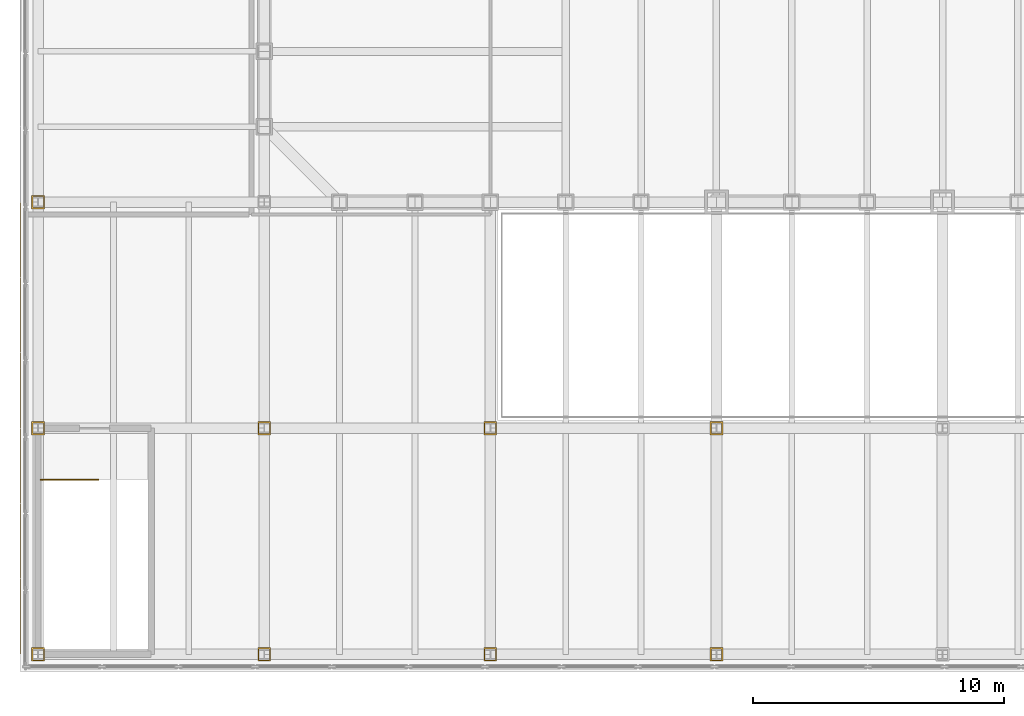
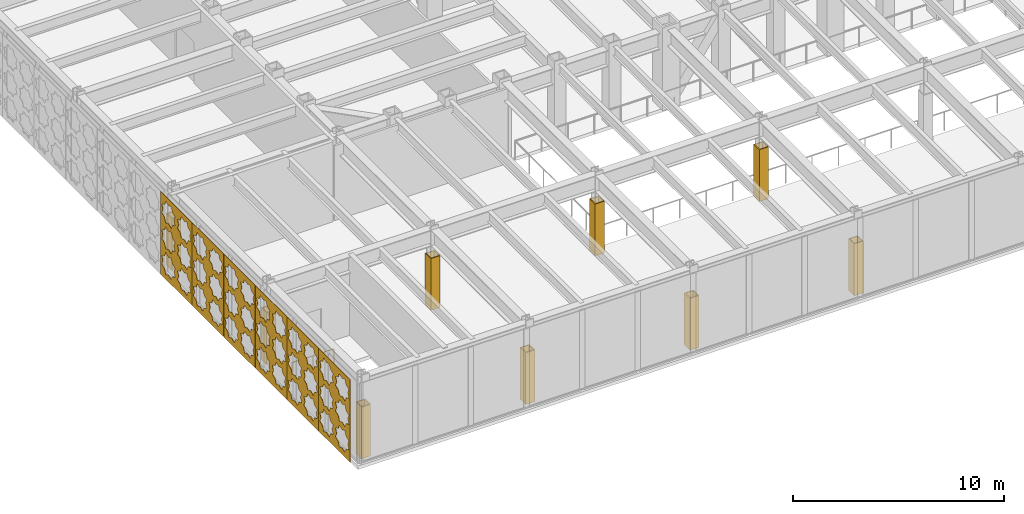
# One storey, part 18 of 24: 9 coverings, 6 shading devices, 1 railing.
"""IFC4 building model written with IfcOpenShell, lengths in metres."""

from ifc_helpers import new_model, si_unit, direction, frame, origin, origin_2d, place, context, subcontext, project, spatial, polyline, circle, outline, extrude, material, layer, layer_set, type_object, element, save


model = new_model("IFC4")

# Units and contexts
model_context = context("Model", 3, precision=1e-05, world=origin(), true_north=direction((0.0, 1.0)))
body_context = subcontext(model_context, "Body", "Model", "MODEL_VIEW")
ifc_project = project(units=[si_unit("LENGTHUNIT", "METRE"), si_unit("AREAUNIT", "SQUARE_METRE"), si_unit("VOLUMEUNIT", "CUBIC_METRE"), si_unit("PLANEANGLEUNIT", "RADIAN"), si_unit("MASSUNIT", "GRAM", prefix="KILO")], contexts=[model_context])

# Site, building, storey
site_placement = place(None, origin())
site = spatial("IfcSite", under=ifc_project, at=site_placement, CompositionType="ELEMENT")
building_placement = place(site_placement, origin())
building = spatial("IfcBuilding", under=site, at=building_placement, Name="Chuquiago Exchange Tower", CompositionType="ELEMENT")
storey_placement = place(building_placement, frame((0.0, 0.0, 19.5)))
storey = spatial("IfcBuildingStorey", under=building, at=storey_placement, Name="L03", CompositionType="ELEMENT", Elevation=19.5)

# Coverings
ifc_material_1 = material(Name="Pale metal sheet casing on rails", Category="aluminium")
ifc_layer_1 = layer(ifc_material_1, 0.050048828125)
ifc_layer_set_1 = layer_set([ifc_layer_1], Name="CS1 column casing 50")
covering_type = type_object("IfcCoveringType", Name="CS1 column casing 50", PredefinedType="CLADDING", material=ifc_layer_set_1)
covering_1_placement = place(storey_placement, origin())
element("IfcCovering", 1, at=covering_1_placement, inside=storey, type_object=covering_type, Name="Column casing L03", PredefinedType="CLADDING", context=body_context, shape_type="SweptSolid", body=[
    extrude(outline(polyline([(-9.255615234375, -18.26708984375), (-8.744384765625, -18.26708984375), (-8.744384765625, -17.73291015625), (-9.255615234375, -17.73291015625), (-9.255615234375, -18.26708984375)]), holes=[polyline([(-9.205810546875, -18.21728515625), (-9.205810546875, -17.78271484375), (-8.794189453125, -17.78271484375), (-8.794189453125, -18.21728515625), (-9.205810546875, -18.21728515625)])]), origin(), (0.0, 0.0, 1.0), 3.0),
])
covering_2_placement = place(storey_placement, origin())
element("IfcCovering", 2, at=covering_2_placement, inside=storey, type_object=covering_type, Name="Column casing L03", PredefinedType="CLADDING", context=body_context, shape_type="SweptSolid", body=[
    extrude(outline(polyline([(-9.255615234375, -9.26708984375), (-8.744384765625, -9.26708984375), (-8.744384765625, -8.73291015625), (-9.255615234375, -8.73291015625), (-9.255615234375, -9.26708984375)]), holes=[polyline([(-9.205810546875, -9.21728515625), (-9.205810546875, -8.78271484375), (-8.794189453125, -8.78271484375), (-8.794189453125, -9.21728515625), (-9.205810546875, -9.21728515625)])]), origin(), (0.0, 0.0, 1.0), 3.0),
])
covering_3_placement = place(storey_placement, origin())
element("IfcCovering", 3, at=covering_3_placement, inside=storey, type_object=covering_type, Name="Column casing L03", PredefinedType="CLADDING", context=body_context, shape_type="SweptSolid", body=[
    extrude(outline(polyline([(-9.255615234375, -0.26708984375), (-8.744384765625, -0.26708984375), (-8.744384765625, 0.26708984375), (-9.255615234375, 0.26708984375), (-9.255615234375, -0.26708984375)]), holes=[polyline([(-9.205810546875, -0.21728515625), (-9.205810546875, 0.21728515625), (-8.794189453125, 0.21728515625), (-8.794189453125, -0.21728515625), (-9.205810546875, -0.21728515625)])]), origin(), (0.0, 0.0, 1.0), 3.0),
])
covering_4_placement = place(storey_placement, origin())
element("IfcCovering", 4, at=covering_4_placement, inside=storey, type_object=covering_type, Name="Column casing L03", PredefinedType="CLADDING", context=body_context, shape_type="SweptSolid", body=[
    extrude(outline(polyline([(-0.255615234375, -18.26708984375), (0.255615234375, -18.26708984375), (0.255615234375, -17.73291015625), (-0.255615234375, -17.73291015625), (-0.255615234375, -18.26708984375)]), holes=[polyline([(-0.205810546875, -18.21728515625), (-0.205810546875, -17.78271484375), (0.205810546875, -17.78271484375), (0.205810546875, -18.21728515625), (-0.205810546875, -18.21728515625)])]), origin(), (0.0, 0.0, 1.0), 3.0),
])
covering_5_placement = place(storey_placement, origin())
element("IfcCovering", 5, at=covering_5_placement, inside=storey, type_object=covering_type, Name="Column casing L03", PredefinedType="CLADDING", context=body_context, shape_type="SweptSolid", body=[
    extrude(outline(polyline([(-0.255615234375, -9.26708984375), (0.255615234375, -9.26708984375), (0.255615234375, -8.73291015625), (-0.255615234375, -8.73291015625), (-0.255615234375, -9.26708984375)]), holes=[polyline([(-0.205810546875, -9.21728515625), (-0.205810546875, -8.78271484375), (0.205810546875, -8.78271484375), (0.205810546875, -9.21728515625), (-0.205810546875, -9.21728515625)])]), origin(), (0.0, 0.0, 1.0), 3.0),
])
covering_6_placement = place(storey_placement, origin())
element("IfcCovering", 6, at=covering_6_placement, inside=storey, type_object=covering_type, Name="Column casing L03", PredefinedType="CLADDING", context=body_context, shape_type="SweptSolid", body=[
    extrude(outline(polyline([(8.744384765625, -18.26708984375), (9.255615234375, -18.26708984375), (9.255615234375, -17.73291015625), (8.744384765625, -17.73291015625), (8.744384765625, -18.26708984375)]), holes=[polyline([(8.794189453125, -18.21728515625), (8.794189453125, -17.78271484375), (9.205810546875, -17.78271484375), (9.205810546875, -18.21728515625), (8.794189453125, -18.21728515625)])]), origin(), (0.0, 0.0, 1.0), 3.0),
])
covering_7_placement = place(storey_placement, origin())
element("IfcCovering", 7, at=covering_7_placement, inside=storey, type_object=covering_type, Name="Column casing L03", PredefinedType="CLADDING", context=body_context, shape_type="SweptSolid", body=[
    extrude(outline(polyline([(8.744384765625, -9.26708984375), (9.255615234375, -9.26708984375), (9.255615234375, -8.73291015625), (8.744384765625, -8.73291015625), (8.744384765625, -9.26708984375)]), holes=[polyline([(8.794189453125, -9.21728515625), (8.794189453125, -8.78271484375), (9.205810546875, -8.78271484375), (9.205810546875, -9.21728515625), (8.794189453125, -9.21728515625)])]), origin(), (0.0, 0.0, 1.0), 3.0),
])
covering_8_placement = place(storey_placement, origin())
element("IfcCovering", 8, at=covering_8_placement, inside=storey, type_object=covering_type, Name="Column casing L03", PredefinedType="CLADDING", context=body_context, shape_type="SweptSolid", body=[
    extrude(outline(polyline([(17.744384765625, -18.26708984375), (18.255615234375, -18.26708984375), (18.255615234375, -17.73291015625), (17.744384765625, -17.73291015625), (17.744384765625, -18.26708984375)]), holes=[polyline([(17.794189453125, -18.21728515625), (17.794189453125, -17.78271484375), (18.205810546875, -17.78271484375), (18.205810546875, -18.21728515625), (17.794189453125, -18.21728515625)])]), origin(), (0.0, 0.0, 1.0), 3.0),
])
covering_9_placement = place(storey_placement, origin())
element("IfcCovering", 9, at=covering_9_placement, inside=storey, type_object=covering_type, Name="Column casing L03", PredefinedType="CLADDING", context=body_context, shape_type="SweptSolid", body=[
    extrude(outline(polyline([(17.744384765625, -9.26708984375), (18.255615234375, -9.26708984375), (18.255615234375, -8.73291015625), (17.744384765625, -8.73291015625), (17.744384765625, -9.26708984375)]), holes=[polyline([(17.794189453125, -9.21728515625), (17.794189453125, -8.78271484375), (18.205810546875, -8.78271484375), (18.205810546875, -9.21728515625), (17.794189453125, -9.21728515625)])]), origin(), (0.0, 0.0, 1.0), 3.0),
])

# Railing
ifc_material_2 = material(Name="Pale metal guard with safety glass infill", Category="glass")
railing_type = type_object("IfcRailingType", Name="GR1 guard 1100", PredefinedType="GUARDRAIL", material=ifc_material_2)
railing_placement = place(storey_placement, frame((-8.89990234375, -11.050048828125, 0.0)))
element("IfcRailing", 10, at=railing_placement, inside=storey, type_object=railing_type, Name="Guard PS1 top landing L03", PredefinedType="GUARDRAIL", context=body_context, shape_type="SweptSolid", body=[
    extrude(circle(Radius=0.02392578125, at=origin_2d()), frame((0.0, 0.0, 1.076171875), z_axis=(1.0, 0.0, 0.0), x_axis=(0.0, 1.0, 0.0)), (0.0, 0.0, 1.0), 2.2998046875),
    extrude(circle(Radius=0.02099609375, at=origin_2d()), origin(), (0.0, 0.0, 1.0), 1.052001953125),
    extrude(circle(Radius=0.02099609375, at=origin_2d()), frame((1.14990234375, 0.0, 0.0)), (0.0, 0.0, 1.0), 1.052001953125),
    extrude(circle(Radius=0.02099609375, at=origin_2d()), frame((2.2998046875, 0.0, 0.0)), (0.0, 0.0, 1.0), 1.052001953125),
])

# Shading devices
ifc_material_3 = material(Name="Pale metal, perforated in an eight-point star pattern", Category="aluminium")
ifc_layer_2 = layer(ifc_material_3, 0.02001953125)
ifc_layer_set_2 = layer_set([ifc_layer_2], Name="SC1 mashrabiya screen 20")
shading_device_type = type_object("IfcShadingDeviceType", Name="SC1 mashrabiya screen 20", PredefinedType="SHUTTER", material=ifc_layer_set_2)
shading_device_1_placement = place(storey_placement, frame((-9.699951171875, -15.010009765625, -0.199951171875), z_axis=(0.0, 0.0, 1.0), x_axis=(0.0, -1.0, 0.0)))
element("IfcShadingDevice", 11, at=shading_device_1_placement, inside=storey, type_object=shading_device_type, Name="Mashrabiya screen L03 W 1", PredefinedType="SHUTTER", context=body_context, shape_type="SweptSolid", body=[
    extrude(outline(polyline([(0.0, 0.0), (2.97998046875, 0.0), (2.97998046875, 4.800048828125), (0.0, 4.800048828125), (0.0, 0.0)]), holes=[polyline([(1.26953125, 0.909912109375), (1.378173828125, 1.17236328125), (1.115966796875, 1.281005859375), (1.00732421875, 1.543212890625), (0.7451171875, 1.4345703125), (0.482666015625, 1.543212890625), (0.3740234375, 1.281005859375), (0.11181640625, 1.17236328125), (0.220458984375, 0.909912109375), (0.11181640625, 0.647705078125), (0.3740234375, 0.5390625), (0.482666015625, 0.27685546875), (0.7451171875, 0.38525390625), (1.00732421875, 0.27685546875), (1.115966796875, 0.5390625), (1.378173828125, 0.647705078125), (1.26953125, 0.909912109375)]), polyline([(2.759521484375, 0.909912109375), (2.8681640625, 1.17236328125), (2.60595703125, 1.281005859375), (2.497314453125, 1.543212890625), (2.235107421875, 1.4345703125), (1.97265625, 1.543212890625), (1.864013671875, 1.281005859375), (1.601806640625, 1.17236328125), (1.71044921875, 0.909912109375), (1.601806640625, 0.647705078125), (1.864013671875, 0.5390625), (1.97265625, 0.27685546875), (2.235107421875, 0.38525390625), (2.497314453125, 0.27685546875), (2.60595703125, 0.5390625), (2.8681640625, 0.647705078125), (2.759521484375, 0.909912109375)]), polyline([(1.26953125, 2.39990234375), (1.378173828125, 2.662353515625), (1.115966796875, 2.77099609375), (1.00732421875, 3.033203125), (0.7451171875, 2.924560546875), (0.482666015625, 3.033203125), (0.3740234375, 2.77099609375), (0.11181640625, 2.662353515625), (0.220458984375, 2.39990234375), (0.11181640625, 2.1376953125), (0.3740234375, 2.029052734375), (0.482666015625, 1.766845703125), (0.7451171875, 1.875244140625), (1.00732421875, 1.766845703125), (1.115966796875, 2.029052734375), (1.378173828125, 2.1376953125), (1.26953125, 2.39990234375)]), polyline([(2.759521484375, 2.39990234375), (2.8681640625, 2.662353515625), (2.60595703125, 2.77099609375), (2.497314453125, 3.033203125), (2.235107421875, 2.924560546875), (1.97265625, 3.033203125), (1.864013671875, 2.77099609375), (1.601806640625, 2.662353515625), (1.71044921875, 2.39990234375), (1.601806640625, 2.1376953125), (1.864013671875, 2.029052734375), (1.97265625, 1.766845703125), (2.235107421875, 1.875244140625), (2.497314453125, 1.766845703125), (2.60595703125, 2.029052734375), (2.8681640625, 2.1376953125), (2.759521484375, 2.39990234375)]), polyline([(1.26953125, 3.889892578125), (1.378173828125, 4.15234375), (1.115966796875, 4.260986328125), (1.00732421875, 4.523193359375), (0.7451171875, 4.41455078125), (0.482666015625, 4.523193359375), (0.3740234375, 4.260986328125), (0.11181640625, 4.15234375), (0.220458984375, 3.889892578125), (0.11181640625, 3.627685546875), (0.3740234375, 3.51904296875), (0.482666015625, 3.2568359375), (0.7451171875, 3.365234375), (1.00732421875, 3.2568359375), (1.115966796875, 3.51904296875), (1.378173828125, 3.627685546875), (1.26953125, 3.889892578125)]), polyline([(2.759521484375, 3.889892578125), (2.8681640625, 4.15234375), (2.60595703125, 4.260986328125), (2.497314453125, 4.523193359375), (2.235107421875, 4.41455078125), (1.97265625, 4.523193359375), (1.864013671875, 4.260986328125), (1.601806640625, 4.15234375), (1.71044921875, 3.889892578125), (1.601806640625, 3.627685546875), (1.864013671875, 3.51904296875), (1.97265625, 3.2568359375), (2.235107421875, 3.365234375), (2.497314453125, 3.2568359375), (2.60595703125, 3.51904296875), (2.8681640625, 3.627685546875), (2.759521484375, 3.889892578125)])]), frame((0.0, 0.0, 0.0), z_axis=(0.0, -1.0, 0.0), x_axis=(1.0, 0.0, 0.0)), (0.0, 0.0, 1.0), 0.02001953125),
])
shading_device_2_placement = place(storey_placement, frame((-9.699951171875, -12.010009765625, -0.199951171875), z_axis=(0.0, 0.0, 1.0), x_axis=(0.0, -1.0, 0.0)))
element("IfcShadingDevice", 12, at=shading_device_2_placement, inside=storey, type_object=shading_device_type, Name="Mashrabiya screen L03 W 2", PredefinedType="SHUTTER", context=body_context, shape_type="SweptSolid", body=[
    extrude(outline(polyline([(0.0, 0.0), (2.97998046875, 0.0), (2.97998046875, 4.800048828125), (0.0, 4.800048828125), (0.0, 0.0)]), holes=[polyline([(1.26953125, 0.909912109375), (1.378173828125, 1.17236328125), (1.115966796875, 1.281005859375), (1.00732421875, 1.543212890625), (0.7451171875, 1.4345703125), (0.482666015625, 1.543212890625), (0.3740234375, 1.281005859375), (0.11181640625, 1.17236328125), (0.220458984375, 0.909912109375), (0.11181640625, 0.647705078125), (0.3740234375, 0.5390625), (0.482666015625, 0.27685546875), (0.7451171875, 0.38525390625), (1.00732421875, 0.27685546875), (1.115966796875, 0.5390625), (1.378173828125, 0.647705078125), (1.26953125, 0.909912109375)]), polyline([(2.759521484375, 0.909912109375), (2.8681640625, 1.17236328125), (2.60595703125, 1.281005859375), (2.497314453125, 1.543212890625), (2.235107421875, 1.4345703125), (1.97265625, 1.543212890625), (1.864013671875, 1.281005859375), (1.601806640625, 1.17236328125), (1.71044921875, 0.909912109375), (1.601806640625, 0.647705078125), (1.864013671875, 0.5390625), (1.97265625, 0.27685546875), (2.235107421875, 0.38525390625), (2.497314453125, 0.27685546875), (2.60595703125, 0.5390625), (2.8681640625, 0.647705078125), (2.759521484375, 0.909912109375)]), polyline([(1.26953125, 2.39990234375), (1.378173828125, 2.662353515625), (1.115966796875, 2.77099609375), (1.00732421875, 3.033203125), (0.7451171875, 2.924560546875), (0.482666015625, 3.033203125), (0.3740234375, 2.77099609375), (0.11181640625, 2.662353515625), (0.220458984375, 2.39990234375), (0.11181640625, 2.1376953125), (0.3740234375, 2.029052734375), (0.482666015625, 1.766845703125), (0.7451171875, 1.875244140625), (1.00732421875, 1.766845703125), (1.115966796875, 2.029052734375), (1.378173828125, 2.1376953125), (1.26953125, 2.39990234375)]), polyline([(2.759521484375, 2.39990234375), (2.8681640625, 2.662353515625), (2.60595703125, 2.77099609375), (2.497314453125, 3.033203125), (2.235107421875, 2.924560546875), (1.97265625, 3.033203125), (1.864013671875, 2.77099609375), (1.601806640625, 2.662353515625), (1.71044921875, 2.39990234375), (1.601806640625, 2.1376953125), (1.864013671875, 2.029052734375), (1.97265625, 1.766845703125), (2.235107421875, 1.875244140625), (2.497314453125, 1.766845703125), (2.60595703125, 2.029052734375), (2.8681640625, 2.1376953125), (2.759521484375, 2.39990234375)]), polyline([(1.26953125, 3.889892578125), (1.378173828125, 4.15234375), (1.115966796875, 4.260986328125), (1.00732421875, 4.523193359375), (0.7451171875, 4.41455078125), (0.482666015625, 4.523193359375), (0.3740234375, 4.260986328125), (0.11181640625, 4.15234375), (0.220458984375, 3.889892578125), (0.11181640625, 3.627685546875), (0.3740234375, 3.51904296875), (0.482666015625, 3.2568359375), (0.7451171875, 3.365234375), (1.00732421875, 3.2568359375), (1.115966796875, 3.51904296875), (1.378173828125, 3.627685546875), (1.26953125, 3.889892578125)]), polyline([(2.759521484375, 3.889892578125), (2.8681640625, 4.15234375), (2.60595703125, 4.260986328125), (2.497314453125, 4.523193359375), (2.235107421875, 4.41455078125), (1.97265625, 4.523193359375), (1.864013671875, 4.260986328125), (1.601806640625, 4.15234375), (1.71044921875, 3.889892578125), (1.601806640625, 3.627685546875), (1.864013671875, 3.51904296875), (1.97265625, 3.2568359375), (2.235107421875, 3.365234375), (2.497314453125, 3.2568359375), (2.60595703125, 3.51904296875), (2.8681640625, 3.627685546875), (2.759521484375, 3.889892578125)])]), frame((0.0, 0.0, 0.0), z_axis=(0.0, -1.0, 0.0), x_axis=(1.0, 0.0, 0.0)), (0.0, 0.0, 1.0), 0.02001953125),
])
shading_device_3_placement = place(storey_placement, frame((-9.699951171875, -9.010009765625, -0.199951171875), z_axis=(0.0, 0.0, 1.0), x_axis=(0.0, -1.0, 0.0)))
element("IfcShadingDevice", 13, at=shading_device_3_placement, inside=storey, type_object=shading_device_type, Name="Mashrabiya screen L03 W 3", PredefinedType="SHUTTER", context=body_context, shape_type="SweptSolid", body=[
    extrude(outline(polyline([(0.0, 0.0), (2.97998046875, 0.0), (2.97998046875, 4.800048828125), (0.0, 4.800048828125), (0.0, 0.0)]), holes=[polyline([(1.26953125, 0.909912109375), (1.378173828125, 1.17236328125), (1.115966796875, 1.281005859375), (1.00732421875, 1.543212890625), (0.7451171875, 1.4345703125), (0.482666015625, 1.543212890625), (0.3740234375, 1.281005859375), (0.11181640625, 1.17236328125), (0.220458984375, 0.909912109375), (0.11181640625, 0.647705078125), (0.3740234375, 0.5390625), (0.482666015625, 0.27685546875), (0.7451171875, 0.38525390625), (1.00732421875, 0.27685546875), (1.115966796875, 0.5390625), (1.378173828125, 0.647705078125), (1.26953125, 0.909912109375)]), polyline([(2.759521484375, 0.909912109375), (2.8681640625, 1.17236328125), (2.60595703125, 1.281005859375), (2.497314453125, 1.543212890625), (2.235107421875, 1.4345703125), (1.97265625, 1.543212890625), (1.864013671875, 1.281005859375), (1.601806640625, 1.17236328125), (1.71044921875, 0.909912109375), (1.601806640625, 0.647705078125), (1.864013671875, 0.5390625), (1.97265625, 0.27685546875), (2.235107421875, 0.38525390625), (2.497314453125, 0.27685546875), (2.60595703125, 0.5390625), (2.8681640625, 0.647705078125), (2.759521484375, 0.909912109375)]), polyline([(1.26953125, 2.39990234375), (1.378173828125, 2.662353515625), (1.115966796875, 2.77099609375), (1.00732421875, 3.033203125), (0.7451171875, 2.924560546875), (0.482666015625, 3.033203125), (0.3740234375, 2.77099609375), (0.11181640625, 2.662353515625), (0.220458984375, 2.39990234375), (0.11181640625, 2.1376953125), (0.3740234375, 2.029052734375), (0.482666015625, 1.766845703125), (0.7451171875, 1.875244140625), (1.00732421875, 1.766845703125), (1.115966796875, 2.029052734375), (1.378173828125, 2.1376953125), (1.26953125, 2.39990234375)]), polyline([(2.759521484375, 2.39990234375), (2.8681640625, 2.662353515625), (2.60595703125, 2.77099609375), (2.497314453125, 3.033203125), (2.235107421875, 2.924560546875), (1.97265625, 3.033203125), (1.864013671875, 2.77099609375), (1.601806640625, 2.662353515625), (1.71044921875, 2.39990234375), (1.601806640625, 2.1376953125), (1.864013671875, 2.029052734375), (1.97265625, 1.766845703125), (2.235107421875, 1.875244140625), (2.497314453125, 1.766845703125), (2.60595703125, 2.029052734375), (2.8681640625, 2.1376953125), (2.759521484375, 2.39990234375)]), polyline([(1.26953125, 3.889892578125), (1.378173828125, 4.15234375), (1.115966796875, 4.260986328125), (1.00732421875, 4.523193359375), (0.7451171875, 4.41455078125), (0.482666015625, 4.523193359375), (0.3740234375, 4.260986328125), (0.11181640625, 4.15234375), (0.220458984375, 3.889892578125), (0.11181640625, 3.627685546875), (0.3740234375, 3.51904296875), (0.482666015625, 3.2568359375), (0.7451171875, 3.365234375), (1.00732421875, 3.2568359375), (1.115966796875, 3.51904296875), (1.378173828125, 3.627685546875), (1.26953125, 3.889892578125)]), polyline([(2.759521484375, 3.889892578125), (2.8681640625, 4.15234375), (2.60595703125, 4.260986328125), (2.497314453125, 4.523193359375), (2.235107421875, 4.41455078125), (1.97265625, 4.523193359375), (1.864013671875, 4.260986328125), (1.601806640625, 4.15234375), (1.71044921875, 3.889892578125), (1.601806640625, 3.627685546875), (1.864013671875, 3.51904296875), (1.97265625, 3.2568359375), (2.235107421875, 3.365234375), (2.497314453125, 3.2568359375), (2.60595703125, 3.51904296875), (2.8681640625, 3.627685546875), (2.759521484375, 3.889892578125)])]), frame((0.0, 0.0, 0.0), z_axis=(0.0, -1.0, 0.0), x_axis=(1.0, 0.0, 0.0)), (0.0, 0.0, 1.0), 0.02001953125),
])
shading_device_4_placement = place(storey_placement, frame((-9.699951171875, -6.010009765625, -0.199951171875), z_axis=(0.0, 0.0, 1.0), x_axis=(0.0, -1.0, 0.0)))
element("IfcShadingDevice", 14, at=shading_device_4_placement, inside=storey, type_object=shading_device_type, Name="Mashrabiya screen L03 W 4", PredefinedType="SHUTTER", context=body_context, shape_type="SweptSolid", body=[
    extrude(outline(polyline([(0.0, 0.0), (2.97998046875, 0.0), (2.97998046875, 4.800048828125), (0.0, 4.800048828125), (0.0, 0.0)]), holes=[polyline([(1.26953125, 0.909912109375), (1.378173828125, 1.17236328125), (1.115966796875, 1.281005859375), (1.00732421875, 1.543212890625), (0.7451171875, 1.4345703125), (0.482666015625, 1.543212890625), (0.3740234375, 1.281005859375), (0.11181640625, 1.17236328125), (0.220458984375, 0.909912109375), (0.11181640625, 0.647705078125), (0.3740234375, 0.5390625), (0.482666015625, 0.27685546875), (0.7451171875, 0.38525390625), (1.00732421875, 0.27685546875), (1.115966796875, 0.5390625), (1.378173828125, 0.647705078125), (1.26953125, 0.909912109375)]), polyline([(2.759521484375, 0.909912109375), (2.8681640625, 1.17236328125), (2.60595703125, 1.281005859375), (2.497314453125, 1.543212890625), (2.235107421875, 1.4345703125), (1.97265625, 1.543212890625), (1.864013671875, 1.281005859375), (1.601806640625, 1.17236328125), (1.71044921875, 0.909912109375), (1.601806640625, 0.647705078125), (1.864013671875, 0.5390625), (1.97265625, 0.27685546875), (2.235107421875, 0.38525390625), (2.497314453125, 0.27685546875), (2.60595703125, 0.5390625), (2.8681640625, 0.647705078125), (2.759521484375, 0.909912109375)]), polyline([(1.26953125, 2.39990234375), (1.378173828125, 2.662353515625), (1.115966796875, 2.77099609375), (1.00732421875, 3.033203125), (0.7451171875, 2.924560546875), (0.482666015625, 3.033203125), (0.3740234375, 2.77099609375), (0.11181640625, 2.662353515625), (0.220458984375, 2.39990234375), (0.11181640625, 2.1376953125), (0.3740234375, 2.029052734375), (0.482666015625, 1.766845703125), (0.7451171875, 1.875244140625), (1.00732421875, 1.766845703125), (1.115966796875, 2.029052734375), (1.378173828125, 2.1376953125), (1.26953125, 2.39990234375)]), polyline([(2.759521484375, 2.39990234375), (2.8681640625, 2.662353515625), (2.60595703125, 2.77099609375), (2.497314453125, 3.033203125), (2.235107421875, 2.924560546875), (1.97265625, 3.033203125), (1.864013671875, 2.77099609375), (1.601806640625, 2.662353515625), (1.71044921875, 2.39990234375), (1.601806640625, 2.1376953125), (1.864013671875, 2.029052734375), (1.97265625, 1.766845703125), (2.235107421875, 1.875244140625), (2.497314453125, 1.766845703125), (2.60595703125, 2.029052734375), (2.8681640625, 2.1376953125), (2.759521484375, 2.39990234375)]), polyline([(1.26953125, 3.889892578125), (1.378173828125, 4.15234375), (1.115966796875, 4.260986328125), (1.00732421875, 4.523193359375), (0.7451171875, 4.41455078125), (0.482666015625, 4.523193359375), (0.3740234375, 4.260986328125), (0.11181640625, 4.15234375), (0.220458984375, 3.889892578125), (0.11181640625, 3.627685546875), (0.3740234375, 3.51904296875), (0.482666015625, 3.2568359375), (0.7451171875, 3.365234375), (1.00732421875, 3.2568359375), (1.115966796875, 3.51904296875), (1.378173828125, 3.627685546875), (1.26953125, 3.889892578125)]), polyline([(2.759521484375, 3.889892578125), (2.8681640625, 4.15234375), (2.60595703125, 4.260986328125), (2.497314453125, 4.523193359375), (2.235107421875, 4.41455078125), (1.97265625, 4.523193359375), (1.864013671875, 4.260986328125), (1.601806640625, 4.15234375), (1.71044921875, 3.889892578125), (1.601806640625, 3.627685546875), (1.864013671875, 3.51904296875), (1.97265625, 3.2568359375), (2.235107421875, 3.365234375), (2.497314453125, 3.2568359375), (2.60595703125, 3.51904296875), (2.8681640625, 3.627685546875), (2.759521484375, 3.889892578125)])]), frame((0.0, 0.0, 0.0), z_axis=(0.0, -1.0, 0.0), x_axis=(1.0, 0.0, 0.0)), (0.0, 0.0, 1.0), 0.02001953125),
])
shading_device_5_placement = place(storey_placement, frame((-9.699951171875, -3.010009765625, -0.199951171875), z_axis=(0.0, 0.0, 1.0), x_axis=(0.0, -1.0, 0.0)))
element("IfcShadingDevice", 15, at=shading_device_5_placement, inside=storey, type_object=shading_device_type, Name="Mashrabiya screen L03 W 5", PredefinedType="SHUTTER", context=body_context, shape_type="SweptSolid", body=[
    extrude(outline(polyline([(0.0, 0.0), (2.97998046875, 0.0), (2.97998046875, 4.800048828125), (0.0, 4.800048828125), (0.0, 0.0)]), holes=[polyline([(1.26953125, 0.909912109375), (1.378173828125, 1.17236328125), (1.115966796875, 1.281005859375), (1.00732421875, 1.543212890625), (0.7451171875, 1.4345703125), (0.482666015625, 1.543212890625), (0.3740234375, 1.281005859375), (0.11181640625, 1.17236328125), (0.220458984375, 0.909912109375), (0.11181640625, 0.647705078125), (0.3740234375, 0.5390625), (0.482666015625, 0.27685546875), (0.7451171875, 0.38525390625), (1.00732421875, 0.27685546875), (1.115966796875, 0.5390625), (1.378173828125, 0.647705078125), (1.26953125, 0.909912109375)]), polyline([(2.759521484375, 0.909912109375), (2.8681640625, 1.17236328125), (2.60595703125, 1.281005859375), (2.497314453125, 1.543212890625), (2.235107421875, 1.4345703125), (1.97265625, 1.543212890625), (1.864013671875, 1.281005859375), (1.601806640625, 1.17236328125), (1.71044921875, 0.909912109375), (1.601806640625, 0.647705078125), (1.864013671875, 0.5390625), (1.97265625, 0.27685546875), (2.235107421875, 0.38525390625), (2.497314453125, 0.27685546875), (2.60595703125, 0.5390625), (2.8681640625, 0.647705078125), (2.759521484375, 0.909912109375)]), polyline([(1.26953125, 2.39990234375), (1.378173828125, 2.662353515625), (1.115966796875, 2.77099609375), (1.00732421875, 3.033203125), (0.7451171875, 2.924560546875), (0.482666015625, 3.033203125), (0.3740234375, 2.77099609375), (0.11181640625, 2.662353515625), (0.220458984375, 2.39990234375), (0.11181640625, 2.1376953125), (0.3740234375, 2.029052734375), (0.482666015625, 1.766845703125), (0.7451171875, 1.875244140625), (1.00732421875, 1.766845703125), (1.115966796875, 2.029052734375), (1.378173828125, 2.1376953125), (1.26953125, 2.39990234375)]), polyline([(2.759521484375, 2.39990234375), (2.8681640625, 2.662353515625), (2.60595703125, 2.77099609375), (2.497314453125, 3.033203125), (2.235107421875, 2.924560546875), (1.97265625, 3.033203125), (1.864013671875, 2.77099609375), (1.601806640625, 2.662353515625), (1.71044921875, 2.39990234375), (1.601806640625, 2.1376953125), (1.864013671875, 2.029052734375), (1.97265625, 1.766845703125), (2.235107421875, 1.875244140625), (2.497314453125, 1.766845703125), (2.60595703125, 2.029052734375), (2.8681640625, 2.1376953125), (2.759521484375, 2.39990234375)]), polyline([(1.26953125, 3.889892578125), (1.378173828125, 4.15234375), (1.115966796875, 4.260986328125), (1.00732421875, 4.523193359375), (0.7451171875, 4.41455078125), (0.482666015625, 4.523193359375), (0.3740234375, 4.260986328125), (0.11181640625, 4.15234375), (0.220458984375, 3.889892578125), (0.11181640625, 3.627685546875), (0.3740234375, 3.51904296875), (0.482666015625, 3.2568359375), (0.7451171875, 3.365234375), (1.00732421875, 3.2568359375), (1.115966796875, 3.51904296875), (1.378173828125, 3.627685546875), (1.26953125, 3.889892578125)]), polyline([(2.759521484375, 3.889892578125), (2.8681640625, 4.15234375), (2.60595703125, 4.260986328125), (2.497314453125, 4.523193359375), (2.235107421875, 4.41455078125), (1.97265625, 4.523193359375), (1.864013671875, 4.260986328125), (1.601806640625, 4.15234375), (1.71044921875, 3.889892578125), (1.601806640625, 3.627685546875), (1.864013671875, 3.51904296875), (1.97265625, 3.2568359375), (2.235107421875, 3.365234375), (2.497314453125, 3.2568359375), (2.60595703125, 3.51904296875), (2.8681640625, 3.627685546875), (2.759521484375, 3.889892578125)])]), frame((0.0, 0.0, 0.0), z_axis=(0.0, -1.0, 0.0), x_axis=(1.0, 0.0, 0.0)), (0.0, 0.0, 1.0), 0.02001953125),
])
shading_device_6_placement = place(storey_placement, frame((-9.699951171875, -0.010009765625, -0.199951171875), z_axis=(0.0, 0.0, 1.0), x_axis=(0.0, -1.0, 0.0)))
element("IfcShadingDevice", 16, at=shading_device_6_placement, inside=storey, type_object=shading_device_type, Name="Mashrabiya screen L03 W 6", PredefinedType="SHUTTER", context=body_context, shape_type="SweptSolid", body=[
    extrude(outline(polyline([(0.0, 0.0), (2.97998046875, 0.0), (2.97998046875, 4.800048828125), (0.0, 4.800048828125), (0.0, 0.0)]), holes=[polyline([(1.26953125, 0.909912109375), (1.378173828125, 1.17236328125), (1.115966796875, 1.281005859375), (1.00732421875, 1.543212890625), (0.7451171875, 1.4345703125), (0.482666015625, 1.543212890625), (0.3740234375, 1.281005859375), (0.11181640625, 1.17236328125), (0.220458984375, 0.909912109375), (0.11181640625, 0.647705078125), (0.3740234375, 0.5390625), (0.482666015625, 0.27685546875), (0.7451171875, 0.38525390625), (1.00732421875, 0.27685546875), (1.115966796875, 0.5390625), (1.378173828125, 0.647705078125), (1.26953125, 0.909912109375)]), polyline([(2.759521484375, 0.909912109375), (2.8681640625, 1.17236328125), (2.60595703125, 1.281005859375), (2.497314453125, 1.543212890625), (2.235107421875, 1.4345703125), (1.97265625, 1.543212890625), (1.864013671875, 1.281005859375), (1.601806640625, 1.17236328125), (1.71044921875, 0.909912109375), (1.601806640625, 0.647705078125), (1.864013671875, 0.5390625), (1.97265625, 0.27685546875), (2.235107421875, 0.38525390625), (2.497314453125, 0.27685546875), (2.60595703125, 0.5390625), (2.8681640625, 0.647705078125), (2.759521484375, 0.909912109375)]), polyline([(1.26953125, 2.39990234375), (1.378173828125, 2.662353515625), (1.115966796875, 2.77099609375), (1.00732421875, 3.033203125), (0.7451171875, 2.924560546875), (0.482666015625, 3.033203125), (0.3740234375, 2.77099609375), (0.11181640625, 2.662353515625), (0.220458984375, 2.39990234375), (0.11181640625, 2.1376953125), (0.3740234375, 2.029052734375), (0.482666015625, 1.766845703125), (0.7451171875, 1.875244140625), (1.00732421875, 1.766845703125), (1.115966796875, 2.029052734375), (1.378173828125, 2.1376953125), (1.26953125, 2.39990234375)]), polyline([(2.759521484375, 2.39990234375), (2.8681640625, 2.662353515625), (2.60595703125, 2.77099609375), (2.497314453125, 3.033203125), (2.235107421875, 2.924560546875), (1.97265625, 3.033203125), (1.864013671875, 2.77099609375), (1.601806640625, 2.662353515625), (1.71044921875, 2.39990234375), (1.601806640625, 2.1376953125), (1.864013671875, 2.029052734375), (1.97265625, 1.766845703125), (2.235107421875, 1.875244140625), (2.497314453125, 1.766845703125), (2.60595703125, 2.029052734375), (2.8681640625, 2.1376953125), (2.759521484375, 2.39990234375)]), polyline([(1.26953125, 3.889892578125), (1.378173828125, 4.15234375), (1.115966796875, 4.260986328125), (1.00732421875, 4.523193359375), (0.7451171875, 4.41455078125), (0.482666015625, 4.523193359375), (0.3740234375, 4.260986328125), (0.11181640625, 4.15234375), (0.220458984375, 3.889892578125), (0.11181640625, 3.627685546875), (0.3740234375, 3.51904296875), (0.482666015625, 3.2568359375), (0.7451171875, 3.365234375), (1.00732421875, 3.2568359375), (1.115966796875, 3.51904296875), (1.378173828125, 3.627685546875), (1.26953125, 3.889892578125)]), polyline([(2.759521484375, 3.889892578125), (2.8681640625, 4.15234375), (2.60595703125, 4.260986328125), (2.497314453125, 4.523193359375), (2.235107421875, 4.41455078125), (1.97265625, 4.523193359375), (1.864013671875, 4.260986328125), (1.601806640625, 4.15234375), (1.71044921875, 3.889892578125), (1.601806640625, 3.627685546875), (1.864013671875, 3.51904296875), (1.97265625, 3.2568359375), (2.235107421875, 3.365234375), (2.497314453125, 3.2568359375), (2.60595703125, 3.51904296875), (2.8681640625, 3.627685546875), (2.759521484375, 3.889892578125)])]), frame((0.0, 0.0, 0.0), z_axis=(0.0, -1.0, 0.0), x_axis=(1.0, 0.0, 0.0)), (0.0, 0.0, 1.0), 0.02001953125),
])

save(model, "model.ifc")
